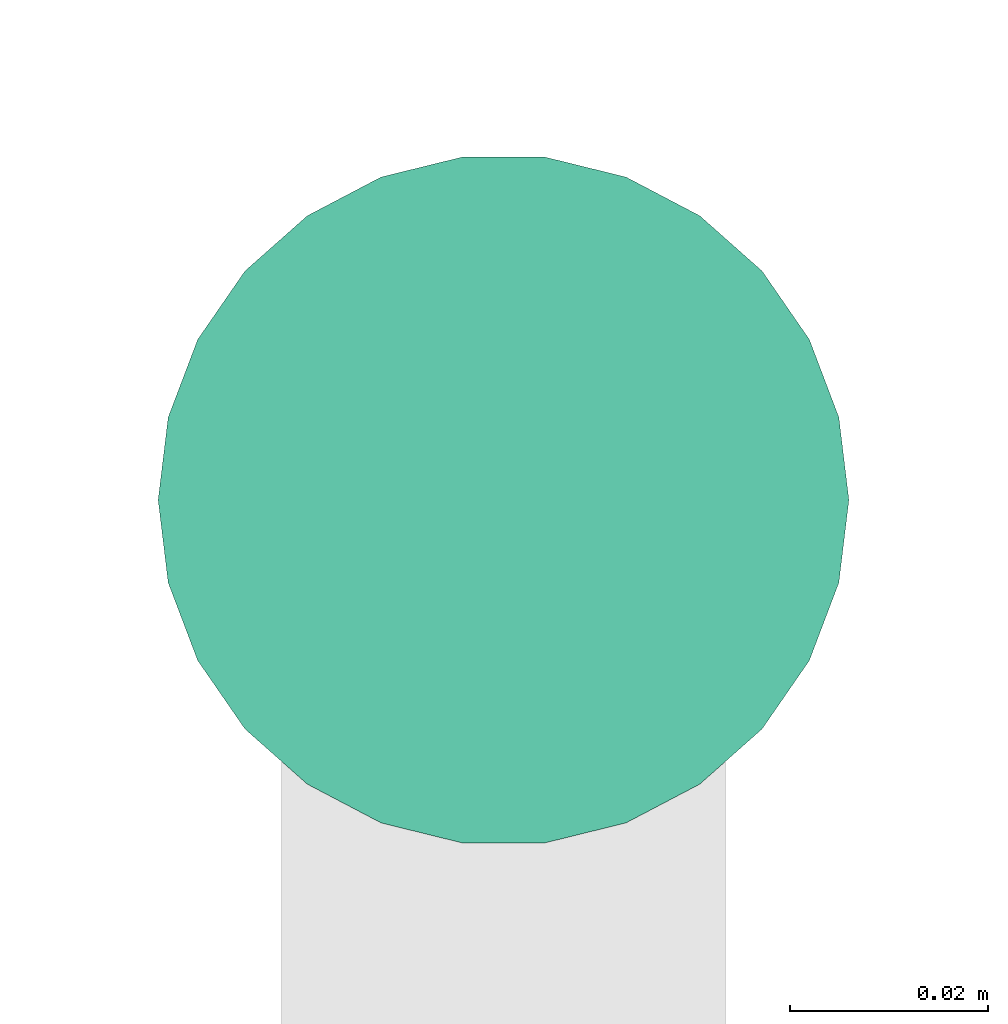
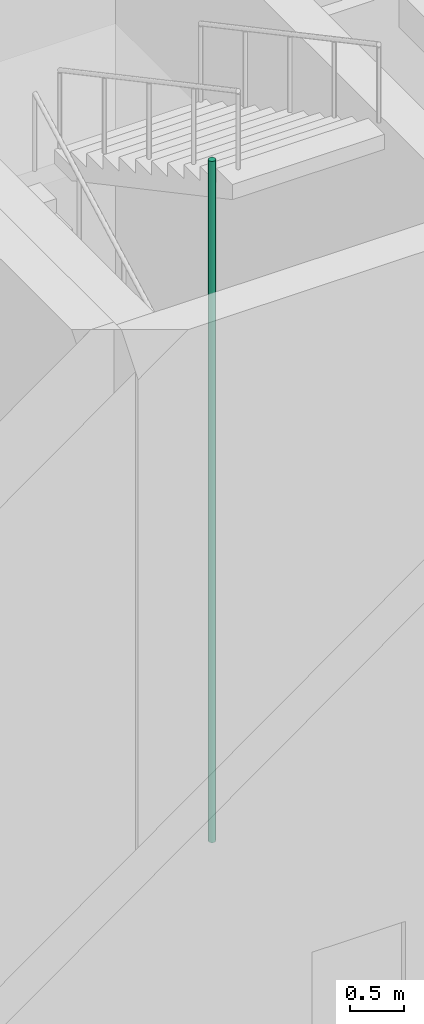
# One storey, part 22 of 33: 1 pipe segment.
"""IFC4 building model written with IfcOpenShell, lengths in metres."""

from ifc_helpers import new_model, si_unit, direction, frame, origin, origin_2d, place, context, subcontext, project, spatial, circle, extrude, element, save


model = new_model("IFC4")

# Units and contexts
model_context = context("Model", 3, precision=1e-05, world=origin(), true_north=direction((0.0, 1.0)))
body_context = subcontext(model_context, "Body", "Model", "MODEL_VIEW")
ifc_project = project(units=[si_unit("LENGTHUNIT", "METRE"), si_unit("AREAUNIT", "SQUARE_METRE"), si_unit("VOLUMEUNIT", "CUBIC_METRE"), si_unit("PLANEANGLEUNIT", "RADIAN"), si_unit("MASSUNIT", "GRAM", prefix="KILO")], contexts=[model_context])

# Site, building, storey
site_placement = place(None, origin())
site = spatial("IfcSite", under=ifc_project, at=site_placement, CompositionType="ELEMENT")
building_placement = place(site_placement, origin())
building = spatial("IfcBuilding", under=site, at=building_placement, Name="Nzadi Deep Aquarium and Research Tower", CompositionType="ELEMENT")
storey_placement = place(building_placement, frame((0.0, 0.0, 6.5)))
storey = spatial("IfcBuildingStorey", under=building, at=storey_placement, Name="L01", CompositionType="ELEMENT", Elevation=6.5)

# Pipe segment
pipe_segment_placement = place(storey_placement, frame((25.10009765625, 13.719970703125, 0.0), z_axis=(0.0, 0.0, 1.0), x_axis=(1.0, 0.0, 0.0)))
element("IfcPipeSegment", 1, at=pipe_segment_placement, inside=storey, Name="Dry riser ST-Z1-SE L01", PredefinedType="RIGIDSEGMENT", context=body_context, shape_type="SweptSolid", body=[
    extrude(circle(Radius=0.034912109375, at=origin_2d()), origin(), (0.0, 0.0, 1.0), 7.699951171875),
])

save(model, "model.ifc")
